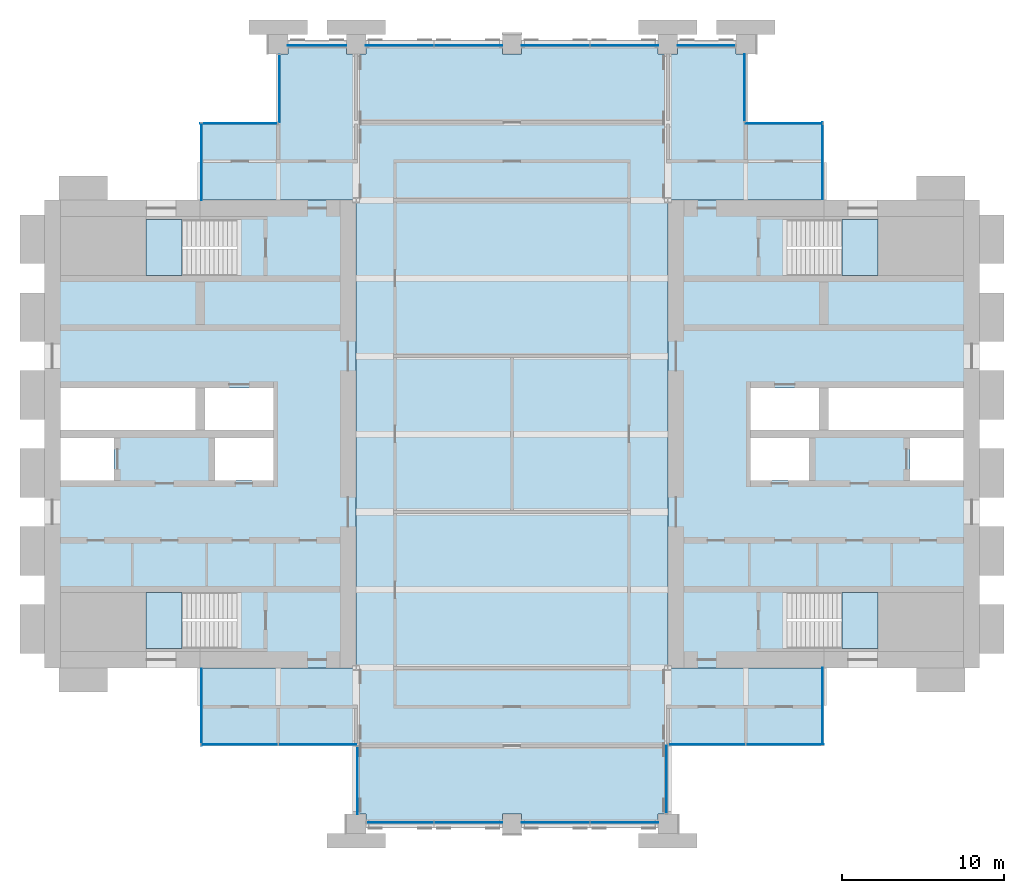
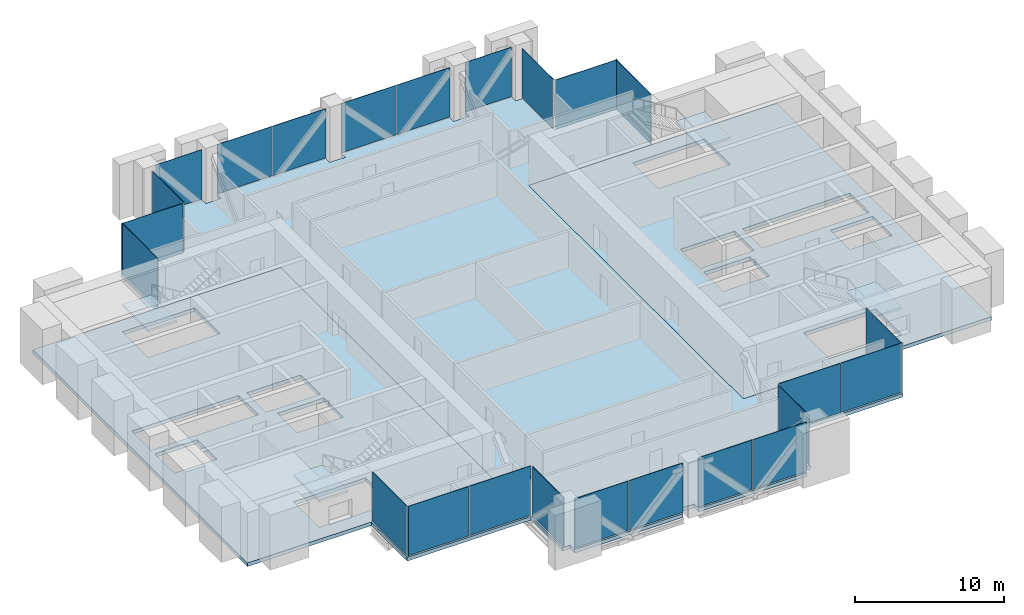
# One storey, part 8 of 14: 24 plates, 7 slabs, 18 elements without a shape of their own.
"""IFC4 building model written with IfcOpenShell, lengths in metres."""

from ifc_helpers import new_model, si_unit, direction, frame, origin, origin_2d, place, context, subcontext, project, spatial, polyline, rectangle, outline, extrude, material, layer, layer_set, type_object, element, aggregate, save


model = new_model("IFC4")

# Units and contexts
model_context = context("Model", 3, precision=1e-05, world=origin(), true_north=direction((0.0, 1.0)))
body_context = subcontext(model_context, "Body", "Model", "MODEL_VIEW")
ifc_project = project(units=[si_unit("LENGTHUNIT", "METRE"), si_unit("AREAUNIT", "SQUARE_METRE"), si_unit("VOLUMEUNIT", "CUBIC_METRE"), si_unit("PLANEANGLEUNIT", "RADIAN"), si_unit("MASSUNIT", "GRAM", prefix="KILO")], contexts=[model_context])

# Site, building, storey
site_placement = place(None, origin())
site = spatial("IfcSite", under=ifc_project, at=site_placement, CompositionType="ELEMENT")
building_placement = place(site_placement, origin())
building = spatial("IfcBuilding", under=site, at=building_placement, Name="Baori Bourse Tower", CompositionType="ELEMENT")
storey_placement = place(building_placement, frame((0.0, 0.0, 176.10009765625)))
storey = spatial("IfcBuildingStorey", under=building, at=storey_placement, Name="L39", CompositionType="ELEMENT", Elevation=176.10009765625)

# Curtain wall, plate
ifc_material_1 = material(Name="Pale anodised aluminium", Category="aluminium")
curtain_wall_type = type_object("IfcCurtainWallType", Name="CW3 Curtain wall", PredefinedType="NOTDEFINED", material=ifc_material_1)
curtain_wall_1_placement = place(storey_placement, origin())
curtain_wall_1 = element("IfcCurtainWall", 1, at=curtain_wall_1_placement, inside=storey, type_object=curtain_wall_type, Name="Curtain wall CW3 L39 1", PredefinedType="NOTDEFINED")
ifc_material_2 = material(Name="Pale anodised aluminium", Category="aluminium")
ifc_layer_1 = layer(ifc_material_2, 0.0400390625)
ifc_layer_set_1 = layer_set([ifc_layer_1], Name="CW3 Curtain wall panel")
plate_type = type_object("IfcPlateType", Name="CW3 Curtain wall panel", PredefinedType="CURTAIN_PANEL", material=ifc_layer_set_1)
plate_1_placement = place(storey_placement, frame((47.919921875, 40.824951171875, 0.059814453125), z_axis=(0.0, 0.0, 1.0), x_axis=(0.0, 1.0, 0.0)))
plate_1 = element("IfcPlate", 2, at=plate_1_placement, type_object=plate_type, Name="Curtain wall CW3 louvre panel", PredefinedType="CURTAIN_PANEL", context=body_context, shape_type="SweptSolid", body=[
    extrude(rectangle(XDim=4.75, YDim=0.0400390625, at=origin_2d()), origin(), (0.0, 0.0, 1.0), 4.0400390625),
])
aggregate(curtain_wall_1, [plate_1])

curtain_wall_2_placement = place(storey_placement, origin())
curtain_wall_2 = element("IfcCurtainWall", 3, at=curtain_wall_2_placement, inside=storey, type_object=curtain_wall_type, Name="Curtain wall CW3 L39 2", PredefinedType="NOTDEFINED")
plate_2_placement = place(storey_placement, frame((45.574951171875, 43.1201171875, 0.059814453125), z_axis=(0.0, 0.0, 1.0), x_axis=(-1.0, 0.0, 0.0)))
plate_2 = element("IfcPlate", 4, at=plate_2_placement, type_object=plate_type, Name="Curtain wall CW3 louvre panel", PredefinedType="CURTAIN_PANEL", context=body_context, shape_type="SweptSolid", body=[
    extrude(rectangle(XDim=4.75, YDim=0.0400390625, at=origin_2d()), origin(), (0.0, 0.0, 1.0), 4.0400390625),
])
aggregate(curtain_wall_2, [plate_2])

curtain_wall_3_placement = place(storey_placement, origin())
curtain_wall_3 = element("IfcCurtainWall", 5, at=curtain_wall_3_placement, inside=storey, type_object=curtain_wall_type, Name="Curtain wall CW3 L39 3", PredefinedType="NOTDEFINED")
plate_3_placement = place(storey_placement, frame((43.1201171875, 45.324951171875, 0.059814453125), z_axis=(0.0, 0.0, 1.0), x_axis=(0.0, 1.0, 0.0)))
plate_3 = element("IfcPlate", 6, at=plate_3_placement, type_object=plate_type, Name="Curtain wall CW3 louvre panel", PredefinedType="CURTAIN_PANEL", context=body_context, shape_type="SweptSolid", body=[
    extrude(rectangle(XDim=4.14990234375, YDim=0.0400390625, at=origin_2d()), origin(), (0.0, 0.0, 1.0), 4.0400390625),
])
aggregate(curtain_wall_3, [plate_3])

# Curtain wall, plates
curtain_wall_4_placement = place(storey_placement, origin())
curtain_wall_4 = element("IfcCurtainWall", 7, at=curtain_wall_4_placement, inside=storey, type_object=curtain_wall_type, Name="Curtain wall CW3 L39 4", PredefinedType="NOTDEFINED")
plate_4_placement = place(storey_placement, frame((40.77490234375, 47.919921875, 0.059814453125), z_axis=(0.0, 0.0, 1.0), x_axis=(-1.0, 0.0, 0.0)))
plate_4 = element("IfcPlate", 8, at=plate_4_placement, type_object=plate_type, Name="Curtain wall CW3 louvre panel", PredefinedType="CURTAIN_PANEL", context=body_context, shape_type="SweptSolid", body=[
    extrude(rectangle(XDim=3.550048828125, YDim=0.0400390625, at=origin_2d()), origin(), (0.0, 0.0, 1.0), 4.0400390625),
])
plate_5_placement = place(storey_placement, frame((35.71240234375, 47.919921875, 0.059814453125), z_axis=(0.0, 0.0, 1.0), x_axis=(-1.0, 0.0, 0.0)))
plate_5 = element("IfcPlate", 9, at=plate_5_placement, type_object=plate_type, Name="Curtain wall CW3 louvre panel", PredefinedType="CURTAIN_PANEL", context=body_context, shape_type="SweptSolid", body=[
    extrude(rectangle(XDim=4.175048828125, YDim=0.0400390625, at=origin_2d()), origin(), (0.0, 0.0, 1.0), 4.0400390625),
])
plate_6_placement = place(storey_placement, frame((31.487548828125, 47.919921875, 0.059814453125), z_axis=(0.0, 0.0, 1.0), x_axis=(-1.0, 0.0, 0.0)))
plate_6 = element("IfcPlate", 10, at=plate_6_placement, type_object=plate_type, Name="Curtain wall CW3 louvre panel", PredefinedType="CURTAIN_PANEL", context=body_context, shape_type="SweptSolid", body=[
    extrude(rectangle(XDim=4.175048828125, YDim=0.0400390625, at=origin_2d()), origin(), (0.0, 0.0, 1.0), 4.0400390625),
])
plate_7_placement = place(storey_placement, frame((26.112548828125, 47.919921875, 0.059814453125), z_axis=(0.0, 0.0, 1.0), x_axis=(-1.0, 0.0, 0.0)))
plate_7 = element("IfcPlate", 11, at=plate_7_placement, type_object=plate_type, Name="Curtain wall CW3 louvre panel", PredefinedType="CURTAIN_PANEL", context=body_context, shape_type="SweptSolid", body=[
    extrude(rectangle(XDim=4.175048828125, YDim=0.0400390625, at=origin_2d()), origin(), (0.0, 0.0, 1.0), 4.0400390625),
])
plate_8_placement = place(storey_placement, frame((21.887451171875, 47.919921875, 0.059814453125), z_axis=(0.0, 0.0, 1.0), x_axis=(-1.0, 0.0, 0.0)))
plate_8 = element("IfcPlate", 12, at=plate_8_placement, type_object=plate_type, Name="Curtain wall CW3 louvre panel", PredefinedType="CURTAIN_PANEL", context=body_context, shape_type="SweptSolid", body=[
    extrude(rectangle(XDim=4.175048828125, YDim=0.0400390625, at=origin_2d()), origin(), (0.0, 0.0, 1.0), 4.0400390625),
])
plate_9_placement = place(storey_placement, frame((16.800048828125, 47.919921875, 0.059814453125), z_axis=(0.0, 0.0, 1.0), x_axis=(-1.0, 0.0, 0.0)))
plate_9 = element("IfcPlate", 13, at=plate_9_placement, type_object=plate_type, Name="Curtain wall CW3 louvre panel", PredefinedType="CURTAIN_PANEL", context=body_context, shape_type="SweptSolid", body=[
    extrude(rectangle(XDim=3.60009765625, YDim=0.0400390625, at=origin_2d()), origin(), (0.0, 0.0, 1.0), 4.0400390625),
])
aggregate(curtain_wall_4, [plate_4, plate_5, plate_6, plate_7, plate_8, plate_9])

# Curtain wall, plate
curtain_wall_5_placement = place(storey_placement, origin())
curtain_wall_5 = element("IfcCurtainWall", 14, at=curtain_wall_5_placement, inside=storey, type_object=curtain_wall_type, Name="Curtain wall CW3 L39 5", PredefinedType="NOTDEFINED")
plate_10_placement = place(storey_placement, frame((14.47998046875, 45.27490234375, 0.059814453125), z_axis=(0.0, 0.0, 1.0), x_axis=(0.0, -1.0, 0.0)))
plate_10 = element("IfcPlate", 15, at=plate_10_placement, type_object=plate_type, Name="Curtain wall CW3 louvre panel", PredefinedType="CURTAIN_PANEL", context=body_context, shape_type="SweptSolid", body=[
    extrude(rectangle(XDim=4.14990234375, YDim=0.0400390625, at=origin_2d()), origin(), (0.0, 0.0, 1.0), 4.0400390625),
])
aggregate(curtain_wall_5, [plate_10])

curtain_wall_6_placement = place(storey_placement, origin())
curtain_wall_6 = element("IfcCurtainWall", 16, at=curtain_wall_6_placement, inside=storey, type_object=curtain_wall_type, Name="Curtain wall CW3 L39 6", PredefinedType="NOTDEFINED")
plate_11_placement = place(storey_placement, frame((11.97509765625, 43.1201171875, 0.059814453125), z_axis=(0.0, 0.0, 1.0), x_axis=(-1.0, 0.0, 0.0)))
plate_11 = element("IfcPlate", 17, at=plate_11_placement, type_object=plate_type, Name="Curtain wall CW3 louvre panel", PredefinedType="CURTAIN_PANEL", context=body_context, shape_type="SweptSolid", body=[
    extrude(rectangle(XDim=4.75, YDim=0.0400390625, at=origin_2d()), origin(), (0.0, 0.0, 1.0), 4.0400390625),
])
aggregate(curtain_wall_6, [plate_11])

curtain_wall_7_placement = place(storey_placement, origin())
curtain_wall_7 = element("IfcCurtainWall", 18, at=curtain_wall_7_placement, inside=storey, type_object=curtain_wall_type, Name="Curtain wall CW3 L39 7", PredefinedType="NOTDEFINED")
plate_12_placement = place(storey_placement, frame((9.679931640625, 40.77490234375, 0.059814453125), z_axis=(0.0, 0.0, 1.0), x_axis=(0.0, -1.0, 0.0)))
plate_12 = element("IfcPlate", 19, at=plate_12_placement, type_object=plate_type, Name="Curtain wall CW3 louvre panel", PredefinedType="CURTAIN_PANEL", context=body_context, shape_type="SweptSolid", body=[
    extrude(rectangle(XDim=4.75, YDim=0.0400390625, at=origin_2d()), origin(), (0.0, 0.0, 1.0), 4.0400390625),
])
aggregate(curtain_wall_7, [plate_12])

curtain_wall_8_placement = place(storey_placement, origin())
curtain_wall_8 = element("IfcCurtainWall", 20, at=curtain_wall_8_placement, inside=storey, type_object=curtain_wall_type, Name="Curtain wall CW3 L39 8", PredefinedType="NOTDEFINED")
plate_13_placement = place(storey_placement, frame((9.679931640625, 7.175048828125, 0.059814453125), z_axis=(0.0, 0.0, 1.0), x_axis=(0.0, -1.0, 0.0)))
plate_13 = element("IfcPlate", 21, at=plate_13_placement, type_object=plate_type, Name="Curtain wall CW3 louvre panel", PredefinedType="CURTAIN_PANEL", context=body_context, shape_type="SweptSolid", body=[
    extrude(rectangle(XDim=4.75, YDim=0.0400390625, at=origin_2d()), origin(), (0.0, 0.0, 1.0), 4.0400390625),
])
aggregate(curtain_wall_8, [plate_13])

# Curtain wall, plates
curtain_wall_9_placement = place(storey_placement, origin())
curtain_wall_9 = element("IfcCurtainWall", 22, at=curtain_wall_9_placement, inside=storey, type_object=curtain_wall_type, Name="Curtain wall CW3 L39 9", PredefinedType="NOTDEFINED")
plate_14_placement = place(storey_placement, frame((12.012451171875, 4.8798828125, 0.059814453125), z_axis=(0.0, 0.0, 1.0), x_axis=(1.0, 0.0, 0.0)))
plate_14 = element("IfcPlate", 23, at=plate_14_placement, type_object=plate_type, Name="Curtain wall CW3 louvre panel", PredefinedType="CURTAIN_PANEL", context=body_context, shape_type="SweptSolid", body=[
    extrude(rectangle(XDim=4.72509765625, YDim=0.0400390625, at=origin_2d()), origin(), (0.0, 0.0, 1.0), 4.0400390625),
])
plate_15_placement = place(storey_placement, frame((16.8125, 4.8798828125, 0.059814453125), z_axis=(0.0, 0.0, 1.0), x_axis=(1.0, 0.0, 0.0)))
plate_15 = element("IfcPlate", 24, at=plate_15_placement, type_object=plate_type, Name="Curtain wall CW3 louvre panel", PredefinedType="CURTAIN_PANEL", context=body_context, shape_type="SweptSolid", body=[
    extrude(rectangle(XDim=4.77490234375, YDim=0.0400390625, at=origin_2d()), origin(), (0.0, 0.0, 1.0), 4.0400390625),
])
aggregate(curtain_wall_9, [plate_14, plate_15])

# Curtain wall, plate
curtain_wall_10_placement = place(storey_placement, origin())
curtain_wall_10 = element("IfcCurtainWall", 25, at=curtain_wall_10_placement, inside=storey, type_object=curtain_wall_type, Name="Curtain wall CW3 L39 10", PredefinedType="NOTDEFINED")
plate_16_placement = place(storey_placement, frame((19.280029296875, 2.675048828125, 0.059814453125), z_axis=(0.0, 0.0, 1.0), x_axis=(0.0, -1.0, 0.0)))
plate_16 = element("IfcPlate", 26, at=plate_16_placement, type_object=plate_type, Name="Curtain wall CW3 louvre panel", PredefinedType="CURTAIN_PANEL", context=body_context, shape_type="SweptSolid", body=[
    extrude(rectangle(XDim=4.14990234375, YDim=0.0400390625, at=origin_2d()), origin(), (0.0, 0.0, 1.0), 4.0400390625),
])
aggregate(curtain_wall_10, [plate_16])

# Curtain wall, plates
curtain_wall_11_placement = place(storey_placement, origin())
curtain_wall_11 = element("IfcCurtainWall", 27, at=curtain_wall_11_placement, inside=storey, type_object=curtain_wall_type, Name="Curtain wall CW3 L39 11", PredefinedType="NOTDEFINED")
plate_17_placement = place(storey_placement, frame((21.91259765625, 0.080078125, 0.059814453125), z_axis=(0.0, 0.0, 1.0), x_axis=(1.0, 0.0, 0.0)))
plate_17 = element("IfcPlate", 28, at=plate_17_placement, type_object=plate_type, Name="Curtain wall CW3 louvre panel", PredefinedType="CURTAIN_PANEL", context=body_context, shape_type="SweptSolid", body=[
    extrude(rectangle(XDim=4.125, YDim=0.0400390625, at=origin_2d()), origin(), (0.0, 0.0, 1.0), 4.0400390625),
])
plate_18_placement = place(storey_placement, frame((26.112548828125, 0.080078125, 0.059814453125), z_axis=(0.0, 0.0, 1.0), x_axis=(1.0, 0.0, 0.0)))
plate_18 = element("IfcPlate", 29, at=plate_18_placement, type_object=plate_type, Name="Curtain wall CW3 louvre panel", PredefinedType="CURTAIN_PANEL", context=body_context, shape_type="SweptSolid", body=[
    extrude(rectangle(XDim=4.175048828125, YDim=0.0400390625, at=origin_2d()), origin(), (0.0, 0.0, 1.0), 4.0400390625),
])
plate_19_placement = place(storey_placement, frame((31.487548828125, 0.080078125, 0.059814453125), z_axis=(0.0, 0.0, 1.0), x_axis=(1.0, 0.0, 0.0)))
plate_19 = element("IfcPlate", 30, at=plate_19_placement, type_object=plate_type, Name="Curtain wall CW3 louvre panel", PredefinedType="CURTAIN_PANEL", context=body_context, shape_type="SweptSolid", body=[
    extrude(rectangle(XDim=4.175048828125, YDim=0.0400390625, at=origin_2d()), origin(), (0.0, 0.0, 1.0), 4.0400390625),
])
plate_20_placement = place(storey_placement, frame((35.71240234375, 0.080078125, 0.059814453125), z_axis=(0.0, 0.0, 1.0), x_axis=(1.0, 0.0, 0.0)))
plate_20 = element("IfcPlate", 31, at=plate_20_placement, type_object=plate_type, Name="Curtain wall CW3 louvre panel", PredefinedType="CURTAIN_PANEL", context=body_context, shape_type="SweptSolid", body=[
    extrude(rectangle(XDim=4.175048828125, YDim=0.0400390625, at=origin_2d()), origin(), (0.0, 0.0, 1.0), 4.0400390625),
])
aggregate(curtain_wall_11, [plate_17, plate_18, plate_19, plate_20])

# Curtain wall, plate
curtain_wall_12_placement = place(storey_placement, origin())
curtain_wall_12 = element("IfcCurtainWall", 32, at=curtain_wall_12_placement, inside=storey, type_object=curtain_wall_type, Name="Curtain wall CW3 L39 12", PredefinedType="NOTDEFINED")
plate_21_placement = place(storey_placement, frame((38.320068359375, 2.72509765625, 0.059814453125), z_axis=(0.0, 0.0, 1.0), x_axis=(0.0, 1.0, 0.0)))
plate_21 = element("IfcPlate", 33, at=plate_21_placement, type_object=plate_type, Name="Curtain wall CW3 louvre panel", PredefinedType="CURTAIN_PANEL", context=body_context, shape_type="SweptSolid", body=[
    extrude(rectangle(XDim=4.14990234375, YDim=0.0400390625, at=origin_2d()), origin(), (0.0, 0.0, 1.0), 4.0400390625),
])
aggregate(curtain_wall_12, [plate_21])

# Curtain wall, plates
curtain_wall_13_placement = place(storey_placement, origin())
curtain_wall_13 = element("IfcCurtainWall", 34, at=curtain_wall_13_placement, inside=storey, type_object=curtain_wall_type, Name="Curtain wall CW3 L39 13", PredefinedType="NOTDEFINED")
plate_22_placement = place(storey_placement, frame((40.8125, 4.8798828125, 0.059814453125), z_axis=(0.0, 0.0, 1.0), x_axis=(1.0, 0.0, 0.0)))
plate_22 = element("IfcPlate", 35, at=plate_22_placement, type_object=plate_type, Name="Curtain wall CW3 louvre panel", PredefinedType="CURTAIN_PANEL", context=body_context, shape_type="SweptSolid", body=[
    extrude(rectangle(XDim=4.72509765625, YDim=0.0400390625, at=origin_2d()), origin(), (0.0, 0.0, 1.0), 4.0400390625),
])
plate_23_placement = place(storey_placement, frame((45.612548828125, 4.8798828125, 0.059814453125), z_axis=(0.0, 0.0, 1.0), x_axis=(1.0, 0.0, 0.0)))
plate_23 = element("IfcPlate", 36, at=plate_23_placement, type_object=plate_type, Name="Curtain wall CW3 louvre panel", PredefinedType="CURTAIN_PANEL", context=body_context, shape_type="SweptSolid", body=[
    extrude(rectangle(XDim=4.77490234375, YDim=0.0400390625, at=origin_2d()), origin(), (0.0, 0.0, 1.0), 4.0400390625),
])
aggregate(curtain_wall_13, [plate_22, plate_23])

# Curtain wall, plate
curtain_wall_14_placement = place(storey_placement, origin())
curtain_wall_14 = element("IfcCurtainWall", 37, at=curtain_wall_14_placement, inside=storey, type_object=curtain_wall_type, Name="Curtain wall CW3 L39 14", PredefinedType="NOTDEFINED")
plate_24_placement = place(storey_placement, frame((47.919921875, 7.22509765625, 0.059814453125), z_axis=(0.0, 0.0, 1.0), x_axis=(0.0, 1.0, 0.0)))
plate_24 = element("IfcPlate", 38, at=plate_24_placement, type_object=plate_type, Name="Curtain wall CW3 louvre panel", PredefinedType="CURTAIN_PANEL", context=body_context, shape_type="SweptSolid", body=[
    extrude(rectangle(XDim=4.75, YDim=0.0400390625, at=origin_2d()), origin(), (0.0, 0.0, 1.0), 4.0400390625),
])
aggregate(curtain_wall_14, [plate_24])

# Slabs
ifc_material_3 = material(Name="Concrete f'c 50 MPa", Category="concrete")
ifc_layer_2 = layer(ifc_material_3, 0.300048828125)
ifc_layer_set_2 = layer_set([ifc_layer_2], Name="Core slab 300")
slab_type_1 = type_object("IfcSlabType", Name="Core slab 300", PredefinedType="FLOOR", material=ifc_layer_set_2)
slab_1_placement = place(storey_placement, frame((0.0, 0.0, -0.300048828125)))
element("IfcSlab", 39, at=slab_1_placement, inside=storey, type_object=slab_type_1, Name="Core floor slab W01", PredefinedType="FLOOR", context=body_context, shape_type="SweptSolid", body=[
    extrude(outline(polyline([(0.0, 38.39990234375), (0.0, 9.60009765625), (19.199951171875, 9.60009765625), (19.199951171875, 38.39990234375), (0.0, 38.39990234375)]), holes=[polyline([(10.5, 21.14990234375), (10.5, 23.75), (14.10009765625, 23.75), (14.10009765625, 21.14990234375), (10.5, 21.14990234375)]), polyline([(14.10009765625, 24.25), (9.89990234375, 24.25), (9.89990234375, 26.85009765625), (14.10009765625, 26.85009765625), (14.10009765625, 24.25)]), polyline([(6.25, 14.25), (11.84912109375, 14.25), (11.84912109375, 10.800048828125), (6.25, 10.800048828125), (6.25, 14.25)]), polyline([(11.84912109375, 37.199951171875), (11.84912109375, 33.75), (6.25, 33.75), (6.25, 37.199951171875), (11.84912109375, 37.199951171875)]), polyline([(1.0, 26.85009765625), (9.300048828125, 26.85009765625), (9.300048828125, 24.25), (1.0, 24.25), (1.0, 26.85009765625)]), polyline([(4.300048828125, 23.75), (4.300048828125, 21.14990234375), (1.0, 21.14990234375), (1.0, 23.75), (4.300048828125, 23.75)])]), origin(), (0.0, 0.0, 1.0), 0.300048828125),
])
slab_2_placement = place(storey_placement, frame((0.0, 0.0, -0.300048828125)))
element("IfcSlab", 40, at=slab_2_placement, inside=storey, type_object=slab_type_1, Name="Core floor slab E01", PredefinedType="FLOOR", context=body_context, shape_type="SweptSolid", body=[
    extrude(outline(polyline([(57.60009765625, 38.39990234375), (38.39990234375, 38.39990234375), (38.39990234375, 9.60009765625), (57.60009765625, 9.60009765625), (57.60009765625, 38.39990234375)]), holes=[polyline([(56.60009765625, 21.14990234375), (53.300048828125, 21.14990234375), (53.300048828125, 23.75), (56.60009765625, 23.75), (56.60009765625, 21.14990234375)]), polyline([(56.60009765625, 26.85009765625), (56.60009765625, 24.25), (48.300048828125, 24.25), (48.300048828125, 26.85009765625), (56.60009765625, 26.85009765625)]), polyline([(45.750732421875, 14.25), (51.35009765625, 14.25), (51.35009765625, 10.800048828125), (45.750732421875, 10.800048828125), (45.750732421875, 14.25)]), polyline([(51.35009765625, 37.199951171875), (51.35009765625, 33.75), (45.750732421875, 33.75), (45.750732421875, 37.199951171875), (51.35009765625, 37.199951171875)]), polyline([(43.5, 24.25), (43.5, 26.85009765625), (47.699951171875, 26.85009765625), (47.699951171875, 24.25), (43.5, 24.25)]), polyline([(43.5, 23.75), (47.10009765625, 23.75), (47.10009765625, 21.14990234375), (43.5, 21.14990234375), (43.5, 23.75)])]), origin(), (0.0, 0.0, 1.0), 0.300048828125),
])

# Stair, slab
ifc_material_4 = material(Name="Concrete f'c 50 MPa", Category="concrete")
stair_type = type_object("IfcStairType", Name="Core stair", PredefinedType="HALF_TURN_STAIR", material=ifc_material_4)
stair_1_placement = place(storey_placement, origin())
stair_1 = element("IfcStair", 41, at=stair_1_placement, inside=storey, type_object=stair_type, Name="L39 Stair WA", PredefinedType="HALF_TURN_STAIR")
ifc_material_5 = material(Name="Concrete f'c 50 MPa", Category="concrete")
slab_type_2 = type_object("IfcSlabType", Name="Core stair landing", PredefinedType="LANDING", material=ifc_material_5)
slab_3_placement = place(storey_placement, frame((0.0, 0.0, 2.0498046875)))
slab_3 = element("IfcSlab", 42, at=slab_3_placement, type_object=slab_type_2, Name="ST1 landing 1", PredefinedType="LANDING", context=body_context, shape_type="SweptSolid", body=[
    extrude(outline(polyline([(8.489990234375, 14.25), (6.25, 14.25), (6.25, 10.800048828125), (8.489990234375, 10.800048828125), (8.489990234375, 14.25)])), origin(), (0.0, 0.0, 1.0), 0.2001953125),
])
aggregate(stair_1, [slab_3])

stair_2_placement = place(storey_placement, origin())
stair_2 = element("IfcStair", 43, at=stair_2_placement, inside=storey, type_object=stair_type, Name="L39 Stair WB", PredefinedType="HALF_TURN_STAIR")
slab_4_placement = place(storey_placement, frame((0.0, 0.0, 2.0498046875)))
slab_4 = element("IfcSlab", 44, at=slab_4_placement, type_object=slab_type_2, Name="ST2 landing 1", PredefinedType="LANDING", context=body_context, shape_type="SweptSolid", body=[
    extrude(outline(polyline([(8.489990234375, 37.199951171875), (6.25, 37.199951171875), (6.25, 33.75), (8.489990234375, 33.75), (8.489990234375, 37.199951171875)])), origin(), (0.0, 0.0, 1.0), 0.2001953125),
])
aggregate(stair_2, [slab_4])

stair_3_placement = place(storey_placement, origin())
stair_3 = element("IfcStair", 45, at=stair_3_placement, inside=storey, type_object=stair_type, Name="L39 Stair EA", PredefinedType="HALF_TURN_STAIR")
slab_5_placement = place(storey_placement, frame((0.0, 0.0, 2.0498046875)))
slab_5 = element("IfcSlab", 46, at=slab_5_placement, type_object=slab_type_2, Name="ST3 landing 1", PredefinedType="LANDING", context=body_context, shape_type="SweptSolid", body=[
    extrude(outline(polyline([(49.110107421875, 10.800048828125), (51.35009765625, 10.800048828125), (51.35009765625, 14.25), (49.110107421875, 14.25), (49.110107421875, 10.800048828125)])), origin(), (0.0, 0.0, 1.0), 0.2001953125),
])
aggregate(stair_3, [slab_5])

stair_4_placement = place(storey_placement, origin())
stair_4 = element("IfcStair", 47, at=stair_4_placement, inside=storey, type_object=stair_type, Name="L39 Stair EB", PredefinedType="HALF_TURN_STAIR")
slab_6_placement = place(storey_placement, frame((0.0, 0.0, 2.0498046875)))
slab_6 = element("IfcSlab", 48, at=slab_6_placement, type_object=slab_type_2, Name="ST4 landing 1", PredefinedType="LANDING", context=body_context, shape_type="SweptSolid", body=[
    extrude(outline(polyline([(49.110107421875, 33.75), (51.35009765625, 33.75), (51.35009765625, 37.199951171875), (49.110107421875, 37.199951171875), (49.110107421875, 33.75)])), origin(), (0.0, 0.0, 1.0), 0.2001953125),
])
aggregate(stair_4, [slab_6])

# Slab
ifc_material_6 = material(Name="Concrete f'c 40 MPa", Category="concrete")
ifc_layer_3 = layer(ifc_material_6, 0.300048828125)
ifc_layer_set_3 = layer_set([ifc_layer_3], Name="Floor slab 300")
slab_type_3 = type_object("IfcSlabType", Name="Floor slab 300", PredefinedType="FLOOR", material=ifc_layer_set_3)
slab_7_placement = place(storey_placement, frame((0.0, 0.0, -0.300048828125)))
element("IfcSlab", 49, at=slab_7_placement, inside=storey, type_object=slab_type_3, Name="Floor slab L39", PredefinedType="FLOOR", context=body_context, shape_type="SweptSolid", body=[
    extrude(outline(polyline([(19.199951171875, 4.800048828125), (9.60009765625, 4.800048828125), (9.60009765625, 9.60009765625), (19.199951171875, 9.60009765625), (19.199951171875, 38.39990234375), (9.60009765625, 38.39990234375), (9.60009765625, 43.199951171875), (14.39990234375, 43.199951171875), (14.39990234375, 47.39990234375), (15.0, 47.39990234375), (15.0, 48.0), (18.60009765625, 48.0), (18.60009765625, 47.39990234375), (19.800048828125, 47.39990234375), (19.800048828125, 48.0), (28.199951171875, 48.0), (28.199951171875, 47.39990234375), (29.39990234375, 47.39990234375), (29.39990234375, 48.0), (37.800048828125, 48.0), (37.800048828125, 47.39990234375), (39.0, 47.39990234375), (39.0, 48.0), (42.60009765625, 48.0), (42.60009765625, 47.39990234375), (43.199951171875, 47.39990234375), (43.199951171875, 43.199951171875), (48.0, 43.199951171875), (48.0, 38.39990234375), (38.39990234375, 38.39990234375), (38.39990234375, 9.60009765625), (48.0, 9.60009765625), (48.0, 4.800048828125), (38.39990234375, 4.800048828125), (38.39990234375, 0.60009765625), (37.800048828125, 0.60009765625), (37.800048828125, 0.0), (29.39990234375, 0.0), (29.39990234375, 0.60009765625), (28.199951171875, 0.60009765625), (28.199951171875, 0.0), (19.800048828125, 0.0), (19.800048828125, 0.60009765625), (19.199951171875, 0.60009765625), (19.199951171875, 4.800048828125)])), origin(), (0.0, 0.0, 1.0), 0.300048828125),
])

save(model, "model.ifc")
